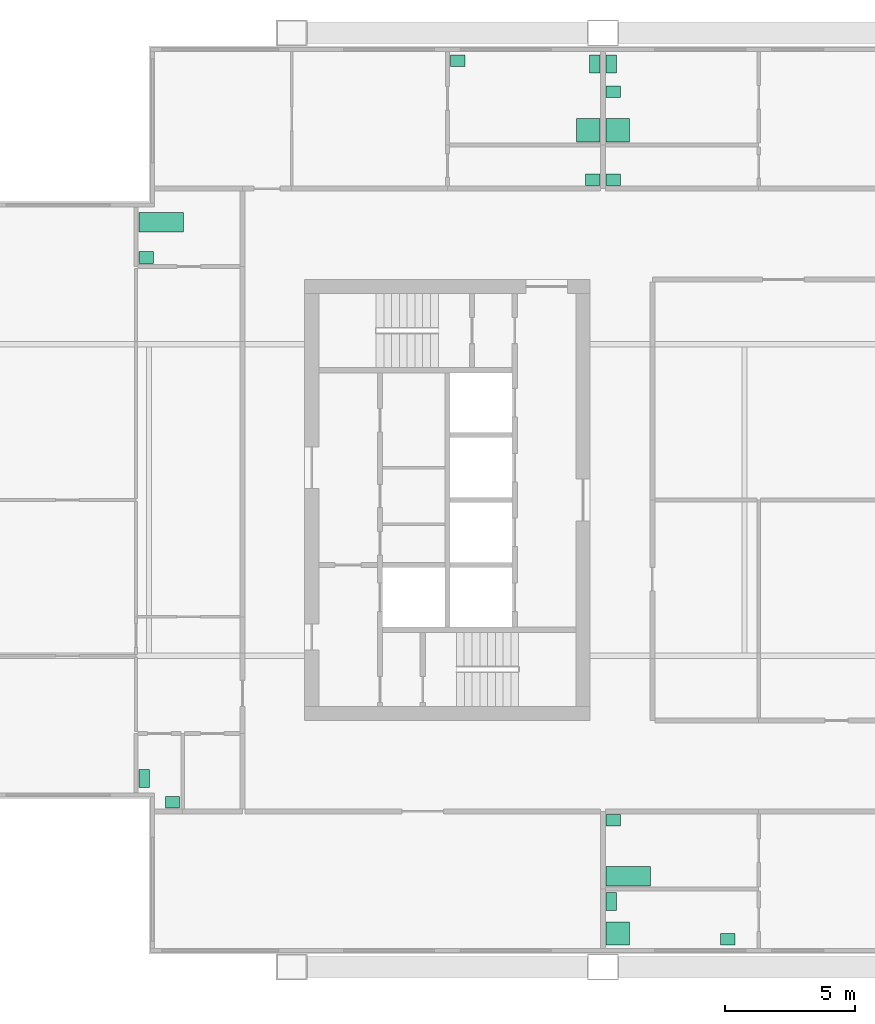
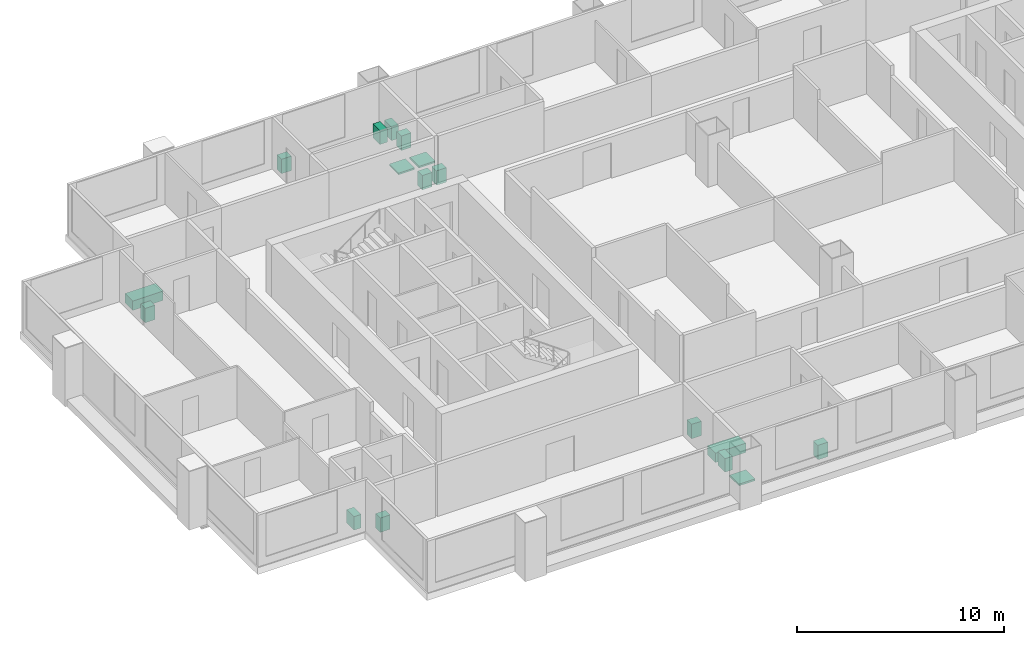
# One storey, part 9 of 9: 17 sanitary terminals.
"""IFC4 building model written with IfcOpenShell, lengths in metres."""

from ifc_helpers import new_model, si_unit, direction, frame, origin, origin_2d, place, context, subcontext, project, spatial, rectangle, extrude, material, type_object, element, save


model = new_model("IFC4")

# Units and contexts
model_context = context("Model", 3, precision=1e-05, world=origin(), true_north=direction((0.0, 1.0)))
body_context = subcontext(model_context, "Body", "Model", "MODEL_VIEW")
ifc_project = project(units=[si_unit("LENGTHUNIT", "METRE"), si_unit("AREAUNIT", "SQUARE_METRE"), si_unit("VOLUMEUNIT", "CUBIC_METRE"), si_unit("PLANEANGLEUNIT", "RADIAN"), si_unit("MASSUNIT", "GRAM", prefix="KILO")], contexts=[model_context])

# Site, building, storey
site_placement = place(None, origin())
site = spatial("IfcSite", under=ifc_project, at=site_placement, CompositionType="ELEMENT")
building_placement = place(site_placement, origin())
building = spatial("IfcBuilding", under=site, at=building_placement, Name="Kitamizu Gate Tower and Museum", CompositionType="ELEMENT")
storey_placement = place(building_placement, frame((0.0, 0.0, 210.0)))
storey = spatial("IfcBuildingStorey", under=building, at=storey_placement, Name="L56", CompositionType="ELEMENT", Elevation=210.0)

# Sanitary terminals
ifc_material_1 = material(Name="Acrylic")
sanitary_terminal_type_1 = type_object("IfcSanitaryTerminalType", Name="Bath", PredefinedType="BATH", material=ifc_material_1)
for number, where, z_axis, x_axis, name in (
    (1, (24.969970703125, 15.4951171875, 0.0009765625), (0.0, 0.0, 1.0), (1.0, 0.0, 0.0), "Bath Bathroom 56A"),
    (2, (6.969970703125, 40.705078125, 0.0009765625), (0.0, 0.0, 1.0), (1.0, 0.0, 0.0), "Bath Bathroom 56D"),
):
    element("IfcSanitaryTerminal", number, at=place(storey_placement, frame(where, z_axis=z_axis, x_axis=x_axis)), inside=storey, type_object=sanitary_terminal_type_1, Name=name, PredefinedType="BATH", context=body_context, shape_type="SweptSolid", body=[
        extrude(rectangle(XDim=1.699951171875, YDim=0.75, at=origin_2d()), origin(), (0.0, 0.0, 1.0), 0.550048828125),
    ])
ifc_material_2 = material(Name="Acrylic")
sanitary_terminal_type_2 = type_object("IfcSanitaryTerminalType", Name="Shower tray", PredefinedType="SHOWER", material=ifc_material_2)
for number, where, z_axis, x_axis, name in (
    (3, (24.570068359375, 13.2900390625, 0.0009765625), (0.0, 0.0, 1.0), (1.0, 0.0, 0.0), "Shower tray En-suite bathroom and WC 56A"),
    (4, (23.429931640625, 44.25, 0.0009765625), (0.0, 0.0, 1.0), (1.0, 0.0, 0.0), "Shower tray En-suite bathroom and WC 56B"),
    (5, (24.570068359375, 44.25, 0.0009765625), (0.0, 0.0, 1.0), (1.0, 0.0, 0.0), "Shower tray En-suite bathroom and WC 56C"),
):
    element("IfcSanitaryTerminal", number, at=place(storey_placement, frame(where, z_axis=z_axis, x_axis=x_axis)), inside=storey, type_object=sanitary_terminal_type_2, Name=name, PredefinedType="SHOWER", context=body_context, shape_type="SweptSolid", body=[
        extrude(rectangle(XDim=0.89990234375, YDim=0.89990234375, at=origin_2d()), origin(), (0.0, 0.0, 1.0), 0.10009765625),
    ])
ifc_material_3 = material(Name="Vitreous china")
sanitary_terminal_type_3 = type_object("IfcSanitaryTerminalType", Name="Wash hand basin", PredefinedType="WASHHANDBASIN", material=ifc_material_3)
for number, where, z_axis, x_axis, name in (
    (6, (28.804931640625, 13.06494140625, 0.0009765625), (0.0, 0.0, 1.0), (1.0, 0.0, 0.0), "Wash hand basin En-suite bathroom and WC 56A"),
    (7, (24.39501953125, 17.655029296875, 0.0009765625), (0.0, 0.0, 1.0), (1.0, 0.0, 0.0), "Wash hand basin Bathroom 56A"),
    (8, (18.39501953125, 46.93505859375, 0.0009765625), (0.0, 0.0, 1.0), (1.0, 0.0, 0.0), "Wash hand basin En-suite bathroom and WC 56B"),
    (9, (23.60498046875, 42.344970703125, 0.0009765625), (0.0, 0.0, 1.0), (1.0, 0.0, 0.0), "Wash hand basin Wash room 56B"),
    (10, (24.39501953125, 45.735107421875, 0.0009765625), (0.0, 0.0, 1.0), (1.0, 0.0, 0.0), "Wash hand basin En-suite bathroom and WC 56C"),
    (11, (24.39501953125, 42.344970703125, 0.0009765625), (0.0, 0.0, 1.0), (1.0, 0.0, 0.0), "Wash hand basin Wash room 56C"),
    (12, (7.405029296875, 18.344970703125, 0.0009765625), (0.0, 0.0, 1.0), (1.0, 0.0, 0.0), "Wash hand basin WC 56D"),
    (13, (6.39501953125, 39.344970703125, 0.0009765625), (0.0, 0.0, 1.0), (1.0, 0.0, 0.0), "Wash hand basin Bathroom 56D"),
):
    element("IfcSanitaryTerminal", number, at=place(storey_placement, frame(where, z_axis=z_axis, x_axis=x_axis)), inside=storey, type_object=sanitary_terminal_type_3, Name=name, PredefinedType="WASHHANDBASIN", context=body_context, shape_type="SweptSolid", body=[
        extrude(rectangle(XDim=0.550048828125, YDim=0.449951171875, at=origin_2d()), origin(), (0.0, 0.0, 1.0), 0.85009765625),
    ])
ifc_material_4 = material(Name="Vitreous china")
sanitary_terminal_type_4 = type_object("IfcSanitaryTerminalType", Name="Water closet", PredefinedType="TOILETPAN", material=ifc_material_4)
for number, where, z_axis, x_axis, name in (
    (14, (24.320068359375, 14.530029296875, 0.0009765625), (0.0, 0.0, 1.0), (1.0, 0.0, 0.0), "Water closet En-suite bathroom and WC 56A"),
    (15, (23.679931640625, 46.81005859375, 0.0009765625), (0.0, 0.0, 1.0), (1.0, 0.0, 0.0), "Water closet En-suite bathroom and WC 56B"),
    (16, (24.320068359375, 46.81005859375, 0.0009765625), (0.0, 0.0, 1.0), (1.0, 0.0, 0.0), "Water closet En-suite bathroom and WC 56C"),
    (17, (6.320068359375, 19.27001953125, 0.0009765625), (0.0, 0.0, 1.0), (1.0, 0.0, 0.0), "Water closet WC 56D"),
):
    element("IfcSanitaryTerminal", number, at=place(storey_placement, frame(where, z_axis=z_axis, x_axis=x_axis)), inside=storey, type_object=sanitary_terminal_type_4, Name=name, PredefinedType="TOILETPAN", context=body_context, shape_type="SweptSolid", body=[
        extrude(rectangle(XDim=0.39990234375, YDim=0.699951171875, at=origin_2d()), origin(), (0.0, 0.0, 1.0), 0.800048828125),
    ])

save(model, "model.ifc")
